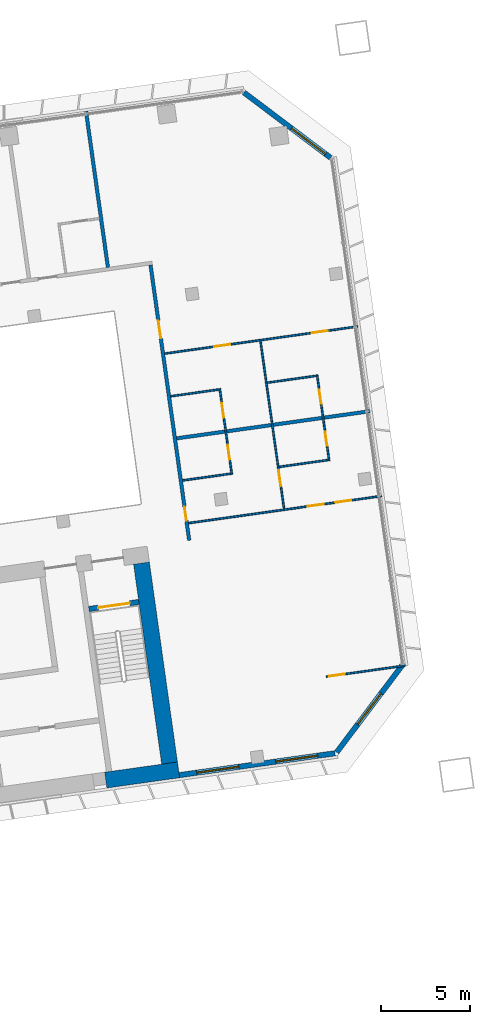
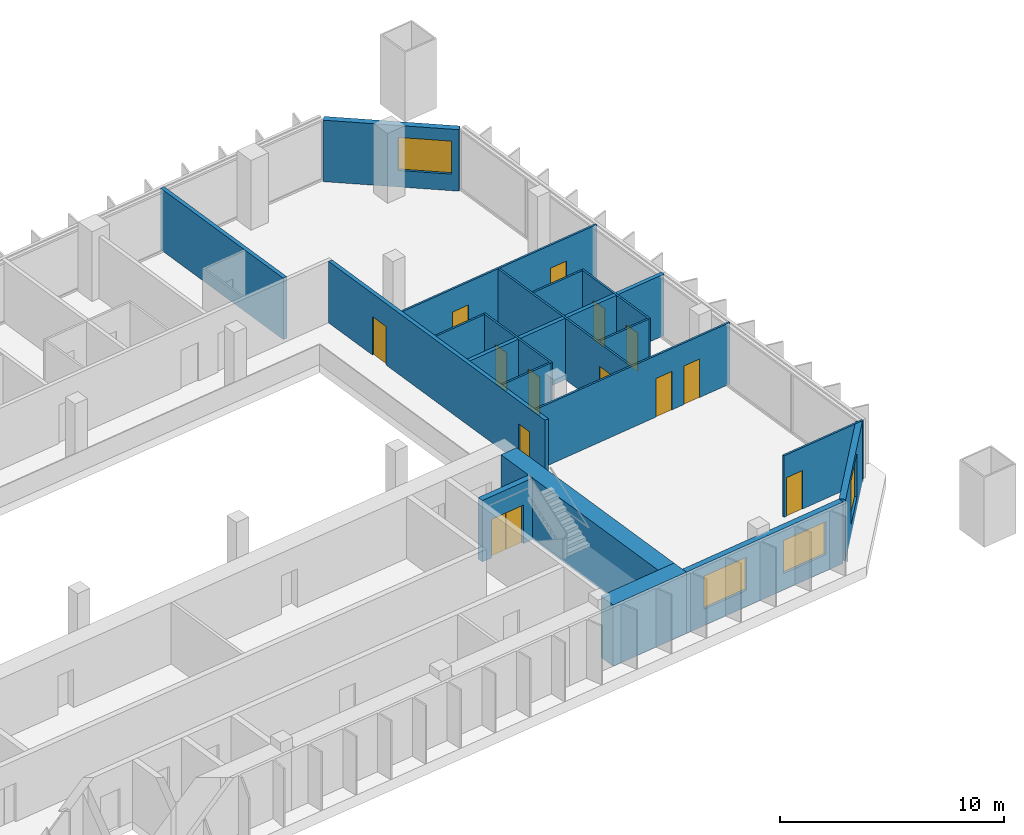
# One storey, part 21 of 24: 19 walls, 13 doors, 4 windows, 17 openings.
"""IFC4 building model written with IfcOpenShell, lengths in metres."""

from ifc_helpers import new_model, si_unit, direction, frame, frame_2d, origin, place, context, subcontext, project, spatial, rectangle, extrude, material, layer, layer_set, type_object, element, fill, save


model = new_model("IFC4")

# Units and contexts
model_context = context("Model", 3, precision=1e-05, world=origin(), true_north=direction((0.0, 1.0)))
body_context = subcontext(model_context, "Body", "Model", "MODEL_VIEW")
ifc_project = project(units=[si_unit("LENGTHUNIT", "METRE"), si_unit("AREAUNIT", "SQUARE_METRE"), si_unit("VOLUMEUNIT", "CUBIC_METRE"), si_unit("PLANEANGLEUNIT", "RADIAN"), si_unit("MASSUNIT", "GRAM", prefix="KILO")], contexts=[model_context])

# Site, building, storey
site_placement = place(None, origin())
site = spatial("IfcSite", under=ifc_project, at=site_placement, CompositionType="ELEMENT")
building_placement = place(site_placement, origin())
building = spatial("IfcBuilding", under=site, at=building_placement, Name="Mirante Cascada Hotel Towers", CompositionType="ELEMENT")
storey_placement = place(building_placement, frame((0.0, 0.0, 47.1)))
storey = spatial("IfcBuildingStorey", under=building, at=storey_placement, Name="L08", CompositionType="ELEMENT", Elevation=47.1)

# Walls
ifc_material_1 = material(Name="Fire-rated plasterboard on metal studs")
ifc_layer_1 = layer(ifc_material_1, 0.2)
ifc_layer_set_1 = layer_set([ifc_layer_1], Name="Compartment wall 200 EI 120")
wall_type_1 = type_object("IfcWallType", Name="Compartment wall 200 EI 120", PredefinedType="PARTITIONING", material=ifc_layer_set_1)
wall_1_placement = place(storey_placement, frame((90.4064, 6.4896, 0.0), z_axis=(0.0, 0.0, 1.0), x_axis=(0.990268, 0.1391733, 0.0)))
element("IfcWall", 1, at=wall_1_placement, inside=storey, type_object=wall_type_1, Name="Wall 2-L08-09", PredefinedType="PARTITIONING", context=body_context, shape_type="SweptSolid", body=[
    extrude(rectangle(XDim=11.0, YDim=0.2, at=frame_2d((5.5, 0.0))), origin(), (0.0, 0.0, 1.0), 3.35),
])
wall_2_placement = place(storey_placement, frame((86.525, 16.1433, 0.0), z_axis=(0.0, 0.0, 1.0), x_axis=(-0.1391684, 0.9902687, 0.0)))
element("IfcWall", 2, at=wall_2_placement, inside=storey, type_object=wall_type_1, Name="Wall 2-L08-53", PredefinedType="PARTITIONING", context=body_context, shape_type="SweptSolid", body=[
    extrude(rectangle(XDim=8.9, YDim=0.2, at=frame_2d((4.45, 0.0))), origin(), (0.0, 0.0, 1.0), 3.35),
])

# Wall, openings, doors
wall_3_placement = place(storey_placement, frame((88.9295, 16.2793, 0.0), z_axis=(0.0, 0.0, 1.0), x_axis=(0.1391721, -0.9902682, 0.0)))
wall_3 = element("IfcWall", 3, at=wall_3_placement, inside=storey, type_object=wall_type_1, Name="Wall 2-L08-54", PredefinedType="PARTITIONING", context=body_context, shape_type="SweptSolid", body=[
    extrude(rectangle(XDim=15.7, YDim=0.2, at=frame_2d((7.85, 0.0))), origin(), (0.0, 0.0, 1.0), 3.35),
])
opening_1_placement = place(wall_3_placement, frame((13.7833, 0.0, 0.0)))
opening_1 = element("IfcOpeningElement", 4, at=opening_1_placement, cuts=wall_3, Name="Opening D2-L08-35", PredefinedType="OPENING", context=body_context, shape_type="SweptSolid", body=[
    extrude(rectangle(XDim=0.8, YDim=2.1, at=frame_2d((0.4, 1.05))), frame((0.0, 0.1, 0.0), z_axis=(0.0, -1.0, 0.0), x_axis=(1.0, 0.0, 0.0)), (0.0, 0.0, 1.0), 0.2),
])
opening_2_placement = place(wall_3_placement, frame((3.1834, 0.0, 0.0)))
opening_2 = element("IfcOpeningElement", 5, at=opening_2_placement, cuts=wall_3, Name="Opening D2-L08-36", PredefinedType="OPENING", context=body_context, shape_type="SweptSolid", body=[
    extrude(rectangle(XDim=1.0, YDim=2.1, at=frame_2d((0.5, 1.05))), frame((0.0, 0.1, 0.0), z_axis=(0.0, -1.0, 0.0), x_axis=(1.0, 0.0, 0.0)), (0.0, 0.0, 1.0), 0.2),
])
ifc_material_2 = material(Name="Fire-rated timber door leaf", Category="wood")
door_type_1 = type_object("IfcDoorType", Name="Bathroom door DG4 800x2100 EI 60", OperationType="SINGLE_SWING_LEFT", PredefinedType="DOOR", material=ifc_material_2)
door_1_placement = place(opening_1_placement, frame((0.8, 0.0, 0.0), z_axis=(0.0, 0.0, 1.0), x_axis=(-1.0, 0.0, 0.0)))
door_1 = element("IfcDoor", 6, at=door_1_placement, inside=storey, type_object=door_type_1, Name="Door D2-L08-35", OperationType="SINGLE_SWING_RIGHT", OverallHeight=2.1, OverallWidth=0.8, PredefinedType="DOOR", context=body_context, shape_type="SweptSolid", body=[
    extrude(rectangle(XDim=0.8, YDim=2.1, at=frame_2d((0.4, 1.05))), frame((0.0, 0.025, 0.0), z_axis=(0.0, -1.0, 0.0), x_axis=(1.0, 0.0, 0.0)), (0.0, 0.0, 1.0), 0.05),
])
fill(opening_1, door_1)
ifc_material_3 = material(Name="Fire-rated timber door leaf", Category="wood")
door_type_2 = type_object("IfcDoorType", Name="Entrance door DG1 1000x2100 EI 60", OperationType="SINGLE_SWING_LEFT", PredefinedType="DOOR", material=ifc_material_3)
door_2_placement = place(opening_2_placement, origin())
door_2 = element("IfcDoor", 7, at=door_2_placement, inside=storey, type_object=door_type_2, Name="Door D2-L08-36", OperationType="SINGLE_SWING_LEFT", OverallHeight=2.1, OverallWidth=1.0, PredefinedType="DOOR", context=body_context, shape_type="SweptSolid", body=[
    extrude(rectangle(XDim=1.0, YDim=2.1, at=frame_2d((0.5, 1.05))), frame((0.0, 0.025, 0.0), z_axis=(0.0, -1.0, 0.0), x_axis=(1.0, 0.0, 0.0)), (0.0, 0.0, 1.0), 0.05),
])
fill(opening_2, door_2)

# Wall, opening, door
ifc_material_4 = material(Name="Plasterboard on metal studs")
ifc_layer_2 = layer(ifc_material_4, 0.1)
ifc_layer_set_2 = layer_set([ifc_layer_2], Name="Partition 100")
wall_type_2 = type_object("IfcWallType", Name="Partition 100", PredefinedType="PARTITIONING", material=ifc_layer_set_2)
wall_4_placement = place(storey_placement, frame((98.8611, -6.9647, 0.0), z_axis=(0.0, 0.0, 1.0), x_axis=(0.9902674, 0.1391779, 0.0)))
wall_4 = element("IfcWall", 8, at=wall_4_placement, inside=storey, type_object=wall_type_2, Name="Wall 2-L08-01", PredefinedType="PARTITIONING", context=body_context, shape_type="SweptSolid", body=[
    extrude(rectangle(XDim=4.5, YDim=0.1, at=frame_2d((2.25, 0.0))), origin(), (0.0, 0.0, 1.0), 3.35),
])
opening_3_placement = place(wall_4_placement, frame((0.15, 0.0, 0.0)))
opening_3 = element("IfcOpeningElement", 9, at=opening_3_placement, cuts=wall_4, Name="Opening D2-L08-01", PredefinedType="OPENING", context=body_context, shape_type="SweptSolid", body=[
    extrude(rectangle(XDim=0.9, YDim=2.1, at=frame_2d((0.45, 1.05))), frame((0.0, 0.05, 0.0), z_axis=(0.0, -1.0, 0.0), x_axis=(1.0, 0.0, 0.0)), (0.0, 0.0, 1.0), 0.1),
])
ifc_material_5 = material(Name="Timber door leaf", Category="wood")
door_type_3 = type_object("IfcDoorType", Name="Room door DG3 900x2100", OperationType="SINGLE_SWING_LEFT", PredefinedType="DOOR", material=ifc_material_5)
door_3_placement = place(opening_3_placement, origin())
door_3 = element("IfcDoor", 10, at=door_3_placement, inside=storey, type_object=door_type_3, Name="Door D2-L08-01", OperationType="SINGLE_SWING_LEFT", OverallHeight=2.1, OverallWidth=0.9, PredefinedType="DOOR", context=body_context, shape_type="SweptSolid", body=[
    extrude(rectangle(XDim=0.9, YDim=2.1, at=frame_2d((0.45, 1.05))), frame((0.0, 0.025, 0.0), z_axis=(0.0, -1.0, 0.0), x_axis=(1.0, 0.0, 0.0)), (0.0, 0.0, 1.0), 0.05),
])
fill(opening_3, door_3)

# Wall, openings, doors
wall_5_placement = place(storey_placement, frame((91.079, 1.7033, 0.0), z_axis=(0.0, 0.0, 1.0), x_axis=(0.9902682, 0.1391721, 0.0)))
wall_5 = element("IfcWall", 11, at=wall_5_placement, inside=storey, type_object=wall_type_2, Name="Wall 2-L08-05", PredefinedType="PARTITIONING", context=body_context, shape_type="SweptSolid", body=[
    extrude(rectangle(XDim=11.0001, YDim=0.1, at=frame_2d((5.5, 0.0))), origin(), (0.0, 0.0, 1.0), 3.35),
])
opening_4_placement = place(wall_5_placement, frame((6.8, 0.0, 0.0)))
opening_4 = element("IfcOpeningElement", 12, at=opening_4_placement, cuts=wall_5, Name="Opening D2-L08-03", PredefinedType="OPENING", context=body_context, shape_type="SweptSolid", body=[
    extrude(rectangle(XDim=0.9, YDim=2.1, at=frame_2d((0.45, 1.05))), frame((0.0, 0.05, 0.0), z_axis=(0.0, -1.0, 0.0), x_axis=(1.0, 0.0, 0.0)), (0.0, 0.0, 1.0), 0.1),
])
opening_5_placement = place(wall_5_placement, frame((8.375, 0.0, 0.0)))
opening_5 = element("IfcOpeningElement", 13, at=opening_5_placement, cuts=wall_5, Name="Opening D2-L08-04", PredefinedType="OPENING", context=body_context, shape_type="SweptSolid", body=[
    extrude(rectangle(XDim=0.9, YDim=2.1, at=frame_2d((0.45, 1.05))), frame((0.0, 0.05, 0.0), z_axis=(0.0, -1.0, 0.0), x_axis=(1.0, 0.0, 0.0)), (0.0, 0.0, 1.0), 0.1),
])
door_4_placement = place(opening_4_placement, frame((0.9, 0.0, 0.0), z_axis=(0.0, 0.0, 1.0), x_axis=(-1.0, 0.0, 0.0)))
door_4 = element("IfcDoor", 14, at=door_4_placement, inside=storey, type_object=door_type_3, Name="Door D2-L08-03", OperationType="SINGLE_SWING_RIGHT", OverallHeight=2.1, OverallWidth=0.9, PredefinedType="DOOR", context=body_context, shape_type="SweptSolid", body=[
    extrude(rectangle(XDim=0.9, YDim=2.1, at=frame_2d((0.45, 1.05))), frame((0.0, 0.025, 0.0), z_axis=(0.0, -1.0, 0.0), x_axis=(1.0, 0.0, 0.0)), (0.0, 0.0, 1.0), 0.05),
])
fill(opening_4, door_4)
door_5_placement = place(opening_5_placement, frame((0.9, 0.0, 0.0), z_axis=(0.0, 0.0, 1.0), x_axis=(-1.0, 0.0, 0.0)))
door_5 = element("IfcDoor", 15, at=door_5_placement, inside=storey, type_object=door_type_3, Name="Door D2-L08-04", OperationType="SINGLE_SWING_RIGHT", OverallHeight=2.1, OverallWidth=0.9, PredefinedType="DOOR", context=body_context, shape_type="SweptSolid", body=[
    extrude(rectangle(XDim=0.9, YDim=2.1, at=frame_2d((0.45, 1.05))), frame((0.0, 0.025, 0.0), z_axis=(0.0, -1.0, 0.0), x_axis=(1.0, 0.0, 0.0)), (0.0, 0.0, 1.0), 0.05),
])
fill(opening_5, door_5)

# Walls
wall_6_placement = place(storey_placement, frame((93.4636, 4.4956, 0.0), z_axis=(0.0, 0.0, 1.0), x_axis=(-0.9902691, -0.1391657, 0.0)))
element("IfcWall", 16, at=wall_6_placement, inside=storey, type_object=wall_type_2, Name="Wall 2-L08-06", PredefinedType="PARTITIONING", context=body_context, shape_type="SweptSolid", body=[
    extrude(rectangle(XDim=2.75, YDim=0.1, at=frame_2d((1.375, 0.0))), origin(), (0.0, 0.0, 1.0), 3.35),
])
wall_7_placement = place(storey_placement, frame((96.1868, 4.8784, 0.0), z_axis=(0.0, 0.0, 1.0), x_axis=(0.9902677, 0.139176, 0.0)))
element("IfcWall", 17, at=wall_7_placement, inside=storey, type_object=wall_type_2, Name="Wall 2-L08-07", PredefinedType="PARTITIONING", context=body_context, shape_type="SweptSolid", body=[
    extrude(rectangle(XDim=2.8001, YDim=0.1, at=frame_2d((1.4, 0.0))), origin(), (0.0, 0.0, 1.0), 3.35),
])
wall_8_placement = place(storey_placement, frame((90.0723, 8.8662, 0.0), z_axis=(0.0, 0.0, 1.0), x_axis=(0.9902698, 0.1391607, 0.0)))
element("IfcWall", 18, at=wall_8_placement, inside=storey, type_object=wall_type_2, Name="Wall 2-L08-11", PredefinedType="PARTITIONING", context=body_context, shape_type="SweptSolid", body=[
    extrude(rectangle(XDim=2.7501, YDim=0.1, at=frame_2d((1.3751, 0.0))), origin(), (0.0, 0.0, 1.0), 3.35),
])
wall_9_placement = place(storey_placement, frame((98.2916, 10.0213, 0.0), z_axis=(0.0, 0.0, 1.0), x_axis=(-0.9902726, -0.139141, 0.0)))
element("IfcWall", 19, at=wall_9_placement, inside=storey, type_object=wall_type_2, Name="Wall 2-L08-12", PredefinedType="PARTITIONING", context=body_context, shape_type="SweptSolid", body=[
    extrude(rectangle(XDim=2.8, YDim=0.1, at=frame_2d((1.4, 0.0))), origin(), (0.0, 0.0, 1.0), 3.35),
])

# Wall, openings, doors
wall_10_placement = place(storey_placement, frame((100.6266, 12.8067, 0.0), z_axis=(0.0, 0.0, 1.0), x_axis=(-0.990268, -0.1391733, 0.0)))
wall_10 = element("IfcWall", 20, at=wall_10_placement, inside=storey, type_object=wall_type_2, Name="Wall 2-L08-14", PredefinedType="PARTITIONING", context=body_context, shape_type="SweptSolid", body=[
    extrude(rectangle(XDim=11.0, YDim=0.1, at=frame_2d((5.5, 0.0))), origin(), (0.0, 0.0, 1.0), 3.35),
])
opening_6_placement = place(wall_10_placement, frame((7.275, 0.0, 0.0)))
opening_6 = element("IfcOpeningElement", 21, at=opening_6_placement, cuts=wall_10, Name="Opening D2-L08-05", PredefinedType="OPENING", context=body_context, shape_type="SweptSolid", body=[
    extrude(rectangle(XDim=0.9, YDim=2.1, at=frame_2d((0.45, 1.05))), frame((0.0, 0.05, 0.0), z_axis=(0.0, -1.0, 0.0), x_axis=(1.0, 0.0, 0.0)), (0.0, 0.0, 1.0), 0.1),
])
opening_7_placement = place(wall_10_placement, frame((1.725, 0.0, 0.0)))
opening_7 = element("IfcOpeningElement", 22, at=opening_7_placement, cuts=wall_10, Name="Opening D2-L08-06", PredefinedType="OPENING", context=body_context, shape_type="SweptSolid", body=[
    extrude(rectangle(XDim=0.9, YDim=2.1, at=frame_2d((0.45, 1.05))), frame((0.0, 0.05, 0.0), z_axis=(0.0, -1.0, 0.0), x_axis=(1.0, 0.0, 0.0)), (0.0, 0.0, 1.0), 0.1),
])
door_6_placement = place(opening_6_placement, frame((0.9, 0.0, 0.0), z_axis=(0.0, 0.0, 1.0), x_axis=(-1.0, 0.0, 0.0)))
door_6 = element("IfcDoor", 23, at=door_6_placement, inside=storey, type_object=door_type_3, Name="Door D2-L08-05", OperationType="SINGLE_SWING_RIGHT", OverallHeight=2.1, OverallWidth=0.9, PredefinedType="DOOR", context=body_context, shape_type="SweptSolid", body=[
    extrude(rectangle(XDim=0.9, YDim=2.1, at=frame_2d((0.45, 1.05))), frame((0.0, 0.025, 0.0), z_axis=(0.0, -1.0, 0.0), x_axis=(1.0, 0.0, 0.0)), (0.0, 0.0, 1.0), 0.05),
])
fill(opening_6, door_6)
door_7_placement = place(opening_7_placement, frame((0.9, 0.0, 0.0), z_axis=(0.0, 0.0, 1.0), x_axis=(-1.0, 0.0, 0.0)))
door_7 = element("IfcDoor", 24, at=door_7_placement, inside=storey, type_object=door_type_3, Name="Door D2-L08-06", OperationType="SINGLE_SWING_RIGHT", OverallHeight=2.1, OverallWidth=0.9, PredefinedType="DOOR", context=body_context, shape_type="SweptSolid", body=[
    extrude(rectangle(XDim=0.9, YDim=2.1, at=frame_2d((0.45, 1.05))), frame((0.0, 0.025, 0.0), z_axis=(0.0, -1.0, 0.0), x_axis=(1.0, 0.0, 0.0)), (0.0, 0.0, 1.0), 0.05),
])
fill(opening_7, door_7)

wall_11_placement = place(storey_placement, frame((93.5201, 4.4531, 0.0), z_axis=(0.0, 0.0, 1.0), x_axis=(-0.1391838, 0.9902666, 0.0)))
wall_11 = element("IfcWall", 25, at=wall_11_placement, inside=storey, type_object=wall_type_2, Name="Wall 2-L08-55", PredefinedType="PARTITIONING", context=body_context, shape_type="SweptSolid", body=[
    extrude(rectangle(XDim=4.9, YDim=0.1, at=frame_2d((2.45, 0.0))), origin(), (0.0, 0.0, 1.0), 3.35),
])
opening_8_placement = place(wall_11_placement, frame((0.85, 0.0, 0.0)))
opening_8 = element("IfcOpeningElement", 26, at=opening_8_placement, cuts=wall_11, Name="Opening D2-L08-37", PredefinedType="OPENING", context=body_context, shape_type="SweptSolid", body=[
    extrude(rectangle(XDim=0.8, YDim=2.1, at=frame_2d((0.4, 1.05))), frame((0.0, 0.05, 0.0), z_axis=(0.0, -1.0, 0.0), x_axis=(1.0, 0.0, 0.0)), (0.0, 0.0, 1.0), 0.1),
])
opening_9_placement = place(wall_11_placement, frame((3.25, 0.0, 0.0)))
opening_9 = element("IfcOpeningElement", 27, at=opening_9_placement, cuts=wall_11, Name="Opening D2-L08-38", PredefinedType="OPENING", context=body_context, shape_type="SweptSolid", body=[
    extrude(rectangle(XDim=0.8, YDim=2.1, at=frame_2d((0.4, 1.05))), frame((0.0, 0.05, 0.0), z_axis=(0.0, -1.0, 0.0), x_axis=(1.0, 0.0, 0.0)), (0.0, 0.0, 1.0), 0.1),
])
ifc_material_6 = material(Name="Timber door leaf", Category="wood")
door_type_4 = type_object("IfcDoorType", Name="Bathroom door DG4 800x2100", OperationType="SINGLE_SWING_LEFT", PredefinedType="DOOR", material=ifc_material_6)
door_8_placement = place(opening_8_placement, origin())
door_8 = element("IfcDoor", 28, at=door_8_placement, inside=storey, type_object=door_type_4, Name="Door D2-L08-37", OperationType="SINGLE_SWING_LEFT", OverallHeight=2.1, OverallWidth=0.8, PredefinedType="DOOR", context=body_context, shape_type="SweptSolid", body=[
    extrude(rectangle(XDim=0.8, YDim=2.1, at=frame_2d((0.4, 1.05))), frame((0.0, 0.025, 0.0), z_axis=(0.0, -1.0, 0.0), x_axis=(1.0, 0.0, 0.0)), (0.0, 0.0, 1.0), 0.05),
])
fill(opening_8, door_8)
door_9_placement = place(opening_9_placement, origin())
door_9 = element("IfcDoor", 29, at=door_9_placement, inside=storey, type_object=door_type_4, Name="Door D2-L08-38", OperationType="SINGLE_SWING_LEFT", OverallHeight=2.1, OverallWidth=0.8, PredefinedType="DOOR", context=body_context, shape_type="SweptSolid", body=[
    extrude(rectangle(XDim=0.8, YDim=2.1, at=frame_2d((0.4, 1.05))), frame((0.0, 0.025, 0.0), z_axis=(0.0, -1.0, 0.0), x_axis=(1.0, 0.0, 0.0)), (0.0, 0.0, 1.0), 0.05),
])
fill(opening_9, door_9)

# Wall, opening, door
wall_12_placement = place(storey_placement, frame((95.1376, 11.9848, 0.0), z_axis=(0.0, 0.0, 1.0), x_axis=(0.1391717, -0.9902683, 0.0)))
wall_12 = element("IfcWall", 30, at=wall_12_placement, inside=storey, type_object=wall_type_2, Name="Wall 2-L08-56", PredefinedType="PARTITIONING", context=body_context, shape_type="SweptSolid", body=[
    extrude(rectangle(XDim=9.5666, YDim=0.1, at=frame_2d((4.7833, 0.0))), origin(), (0.0, 0.0, 1.0), 3.35),
])
opening_10_placement = place(wall_12_placement, frame((7.3666, 0.0, 0.0)))
opening_10 = element("IfcOpeningElement", 31, at=opening_10_placement, cuts=wall_12, Name="Opening D2-L08-39", PredefinedType="OPENING", context=body_context, shape_type="SweptSolid", body=[
    extrude(rectangle(XDim=0.9, YDim=2.1, at=frame_2d((0.45, 1.05))), frame((0.0, 0.05, 0.0), z_axis=(0.0, -1.0, 0.0), x_axis=(1.0, 0.0, 0.0)), (0.0, 0.0, 1.0), 0.1),
])
door_10_placement = place(opening_10_placement, frame((0.9, 0.0, 0.0), z_axis=(0.0, 0.0, 1.0), x_axis=(-1.0, 0.0, 0.0)))
door_10 = element("IfcDoor", 32, at=door_10_placement, inside=storey, type_object=door_type_3, Name="Door D2-L08-39", OperationType="SINGLE_SWING_RIGHT", OverallHeight=2.1, OverallWidth=0.9, PredefinedType="DOOR", context=body_context, shape_type="SweptSolid", body=[
    extrude(rectangle(XDim=0.9, YDim=2.1, at=frame_2d((0.45, 1.05))), frame((0.0, 0.025, 0.0), z_axis=(0.0, -1.0, 0.0), x_axis=(1.0, 0.0, 0.0)), (0.0, 0.0, 1.0), 0.05),
])
fill(opening_10, door_10)

# Wall, openings, doors
wall_13_placement = place(storey_placement, frame((99.0161, 5.2255, 0.0), z_axis=(0.0, 0.0, 1.0), x_axis=(-0.1391838, 0.9902666, 0.0)))
wall_13 = element("IfcWall", 33, at=wall_13_placement, inside=storey, type_object=wall_type_2, Name="Wall 2-L08-57", PredefinedType="PARTITIONING", context=body_context, shape_type="SweptSolid", body=[
    extrude(rectangle(XDim=4.9, YDim=0.1, at=frame_2d((2.45, 0.0))), origin(), (0.0, 0.0, 1.0), 3.35),
])
opening_11_placement = place(wall_13_placement, frame((0.85, 0.0, 0.0)))
opening_11 = element("IfcOpeningElement", 34, at=opening_11_placement, cuts=wall_13, Name="Opening D2-L08-40", PredefinedType="OPENING", context=body_context, shape_type="SweptSolid", body=[
    extrude(rectangle(XDim=0.8, YDim=2.1, at=frame_2d((0.4, 1.05))), frame((0.0, 0.05, 0.0), z_axis=(0.0, -1.0, 0.0), x_axis=(1.0, 0.0, 0.0)), (0.0, 0.0, 1.0), 0.1),
])
opening_12_placement = place(wall_13_placement, frame((3.25, 0.0, 0.0)))
opening_12 = element("IfcOpeningElement", 35, at=opening_12_placement, cuts=wall_13, Name="Opening D2-L08-41", PredefinedType="OPENING", context=body_context, shape_type="SweptSolid", body=[
    extrude(rectangle(XDim=0.8, YDim=2.1, at=frame_2d((0.4, 1.05))), frame((0.0, 0.05, 0.0), z_axis=(0.0, -1.0, 0.0), x_axis=(1.0, 0.0, 0.0)), (0.0, 0.0, 1.0), 0.1),
])
door_11_placement = place(opening_11_placement, origin())
door_11 = element("IfcDoor", 36, at=door_11_placement, inside=storey, type_object=door_type_4, Name="Door D2-L08-40", OperationType="SINGLE_SWING_LEFT", OverallHeight=2.1, OverallWidth=0.8, PredefinedType="DOOR", context=body_context, shape_type="SweptSolid", body=[
    extrude(rectangle(XDim=0.8, YDim=2.1, at=frame_2d((0.4, 1.05))), frame((0.0, 0.025, 0.0), z_axis=(0.0, -1.0, 0.0), x_axis=(1.0, 0.0, 0.0)), (0.0, 0.0, 1.0), 0.05),
])
fill(opening_11, door_11)
door_12_placement = place(opening_12_placement, origin())
door_12 = element("IfcDoor", 37, at=door_12_placement, inside=storey, type_object=door_type_4, Name="Door D2-L08-41", OperationType="SINGLE_SWING_LEFT", OverallHeight=2.1, OverallWidth=0.8, PredefinedType="DOOR", context=body_context, shape_type="SweptSolid", body=[
    extrude(rectangle(XDim=0.8, YDim=2.1, at=frame_2d((0.4, 1.05))), frame((0.0, 0.025, 0.0), z_axis=(0.0, -1.0, 0.0), x_axis=(1.0, 0.0, 0.0)), (0.0, 0.0, 1.0), 0.05),
])
fill(opening_12, door_12)

# Wall, openings, windows
ifc_material_7 = material(Name="Precast concrete C40/50", Category="concrete")
ifc_layer_3 = layer(ifc_material_7, 0.3)
ifc_layer_set_3 = layer_set([ifc_layer_3], Name="Precast concrete C40/50 cladding wall 300")
wall_type_3 = type_object("IfcWallType", Name="Precast concrete C40/50 cladding wall 300", PredefinedType="STANDARD", material=ifc_layer_set_3)
wall_14_placement = place(storey_placement, frame((90.5541, -12.5249, 0.0), z_axis=(0.0, 0.0, 1.0), x_axis=(0.9902678, 0.1391749, 0.0)))
wall_14 = element("IfcWall", 38, at=wall_14_placement, inside=storey, type_object=wall_type_3, Name="Rear cladding wall T2 L08 1", PredefinedType="STANDARD", context=body_context, shape_type="SweptSolid", body=[
    extrude(rectangle(XDim=8.8759, YDim=0.3, at=frame_2d((4.438, 0.0))), origin(), (0.0, 0.0, 1.0), 3.35),
])
opening_13_placement = place(wall_14_placement, frame((1.0012, 0.0, 0.9)))
opening_13 = element("IfcOpeningElement", 39, at=opening_13_placement, cuts=wall_14, Name="Opening W2-08-01", PredefinedType="OPENING", context=body_context, shape_type="SweptSolid", body=[
    extrude(rectangle(XDim=2.4, YDim=1.8, at=frame_2d((1.2, 0.9))), frame((0.0, 0.15, 0.0), z_axis=(0.0, -1.0, 0.0), x_axis=(1.0, 0.0, 0.0)), (0.0, 0.0, 1.0), 0.3),
])
opening_14_placement = place(wall_14_placement, frame((5.4923, 0.0, 0.9)))
opening_14 = element("IfcOpeningElement", 40, at=opening_14_placement, cuts=wall_14, Name="Opening W2-08-02", PredefinedType="OPENING", context=body_context, shape_type="SweptSolid", body=[
    extrude(rectangle(XDim=2.4, YDim=1.8, at=frame_2d((1.2, 0.9))), frame((0.0, 0.15, 0.0), z_axis=(0.0, -1.0, 0.0), x_axis=(1.0, 0.0, 0.0)), (0.0, 0.0, 1.0), 0.3),
])
ifc_material_8 = material(Name="Aluminium frame with clear double glazing", Category="aluminium")
window_type_1 = type_object("IfcWindowType", Name="Punched window 2400x1800", PartitioningType="DOUBLE_PANEL_VERTICAL", PredefinedType="WINDOW", material=ifc_material_8)
window_1_placement = place(opening_13_placement, origin())
window_1 = element("IfcWindow", 41, at=window_1_placement, inside=storey, type_object=window_type_1, Name="Window W2-08-01", OverallHeight=1.8, OverallWidth=2.4, PartitioningType="SINGLE_PANEL", PredefinedType="WINDOW", context=body_context, shape_type="SweptSolid", body=[
    extrude(rectangle(XDim=2.4, YDim=1.8, at=frame_2d((1.2, 0.9))), frame((0.0, 0.03, 0.0), z_axis=(0.0, -1.0, 0.0), x_axis=(1.0, 0.0, 0.0)), (0.0, 0.0, 1.0), 0.06),
])
fill(opening_13, window_1)
window_2_placement = place(opening_14_placement, origin())
window_2 = element("IfcWindow", 42, at=window_2_placement, inside=storey, type_object=window_type_1, Name="Window W2-08-02", OverallHeight=1.8, OverallWidth=2.4, PartitioningType="SINGLE_PANEL", PredefinedType="WINDOW", context=body_context, shape_type="SweptSolid", body=[
    extrude(rectangle(XDim=2.4, YDim=1.8, at=frame_2d((1.2, 0.9))), frame((0.0, 0.03, 0.0), z_axis=(0.0, -1.0, 0.0), x_axis=(1.0, 0.0, 0.0)), (0.0, 0.0, 1.0), 0.06),
])
fill(opening_14, window_2)

# Wall, opening, window
wall_15_placement = place(storey_placement, frame((99.4423, -11.2315, 0.0), z_axis=(0.0, 0.0, 1.0), x_axis=(0.6018141, 0.7986362, 0.0)))
wall_15 = element("IfcWall", 43, at=wall_15_placement, inside=storey, type_object=wall_type_3, Name="Corner cladding wall T2 L08 rear outer", PredefinedType="STANDARD", context=body_context, shape_type="SweptSolid", body=[
    extrude(rectangle(XDim=6.1157, YDim=0.3, at=frame_2d((3.0578, 0.0))), origin(), (0.0, 0.0, 1.0), 3.35),
])
opening_15_placement = place(wall_15_placement, frame((1.9578, 0.0, 0.6)))
opening_15 = element("IfcOpeningElement", 44, at=opening_15_placement, cuts=wall_15, Name="Opening W2-08-03", PredefinedType="OPENING", context=body_context, shape_type="SweptSolid", body=[
    extrude(rectangle(XDim=2.2, YDim=2.4, at=frame_2d((1.1, 1.2))), frame((0.0, 0.15, 0.0), z_axis=(0.0, -1.0, 0.0), x_axis=(1.0, 0.0, 0.0)), (0.0, 0.0, 1.0), 0.3),
])
ifc_material_9 = material(Name="Aluminium frame with clear double glazing", Category="aluminium")
window_type_2 = type_object("IfcWindowType", Name="Corner suite window 2200x2400", PartitioningType="DOUBLE_PANEL_VERTICAL", PredefinedType="WINDOW", material=ifc_material_9)
window_3_placement = place(opening_15_placement, origin())
window_3 = element("IfcWindow", 45, at=window_3_placement, inside=storey, type_object=window_type_2, Name="Window W2-08-03", OverallHeight=2.4, OverallWidth=2.2, PartitioningType="SINGLE_PANEL", PredefinedType="WINDOW", context=body_context, shape_type="SweptSolid", body=[
    extrude(rectangle(XDim=2.2, YDim=2.4, at=frame_2d((1.1, 1.2))), frame((0.0, 0.03, 0.0), z_axis=(0.0, -1.0, 0.0), x_axis=(1.0, 0.0, 0.0)), (0.0, 0.0, 1.0), 0.06),
])
fill(opening_15, window_3)

wall_16_placement = place(storey_placement, frame((99.0919, 22.3343, 0.0), z_axis=(0.0, 0.0, 1.0), x_axis=(-0.7986362, 0.6018141, 0.0)))
wall_16 = element("IfcWall", 46, at=wall_16_placement, inside=storey, type_object=wall_type_3, Name="Corner cladding wall T2 L08 outer front", PredefinedType="STANDARD", context=body_context, shape_type="SweptSolid", body=[
    extrude(rectangle(XDim=6.1157, YDim=0.3, at=frame_2d((3.0578, 0.0))), origin(), (0.0, 0.0, 1.0), 3.35),
])
opening_16_placement = place(wall_16_placement, frame((0.35, 0.0, 0.9)))
opening_16 = element("IfcOpeningElement", 47, at=opening_16_placement, cuts=wall_16, Name="Opening W2-08-06", PredefinedType="OPENING", context=body_context, shape_type="SweptSolid", body=[
    extrude(rectangle(XDim=2.4, YDim=1.8, at=frame_2d((1.2, 0.9))), frame((0.0, 0.15, 0.0), z_axis=(0.0, -1.0, 0.0), x_axis=(1.0, 0.0, 0.0)), (0.0, 0.0, 1.0), 0.3),
])
window_4_placement = place(opening_16_placement, origin())
window_4 = element("IfcWindow", 48, at=window_4_placement, inside=storey, type_object=window_type_1, Name="Window W2-08-06", OverallHeight=1.8, OverallWidth=2.4, PartitioningType="SINGLE_PANEL", PredefinedType="WINDOW", context=body_context, shape_type="SweptSolid", body=[
    extrude(rectangle(XDim=2.4, YDim=1.8, at=frame_2d((1.2, 0.9))), frame((0.0, 0.03, 0.0), z_axis=(0.0, -1.0, 0.0), x_axis=(1.0, 0.0, 0.0)), (0.0, 0.0, 1.0), 0.06),
])
fill(opening_16, window_4)

# Wall, opening, door
ifc_material_10 = material(Name="Concrete C50/60", Category="concrete")
ifc_layer_4 = layer(ifc_material_10, 0.3)
ifc_layer_set_4 = layer_set([ifc_layer_4], Name="RC core wall 300 C50/60")
wall_type_4 = type_object("IfcWallType", Name="RC core wall 300 C50/60", PredefinedType="SHEAR", material=ifc_layer_set_4)
wall_17_placement = place(storey_placement, frame((85.4489, -3.1441, 0.0), z_axis=(0.0, 0.0, 1.0), x_axis=(0.9902697, 0.1391613, 0.0)))
wall_17 = element("IfcWall", 49, at=wall_17_placement, inside=storey, type_object=wall_type_4, Name="Core wall T2:L08:11", PredefinedType="SHEAR", context=body_context, shape_type="SweptSolid", body=[
    extrude(rectangle(XDim=2.8499, YDim=0.3, at=frame_2d((1.425, 0.0))), origin(), (0.0, 0.0, 1.0), 3.35),
])
opening_17_placement = place(wall_17_placement, frame((0.525, 0.0, 0.0)))
opening_17 = element("IfcOpeningElement", 50, at=opening_17_placement, cuts=wall_17, Name="Opening D2-08-C17", PredefinedType="OPENING", context=body_context, shape_type="SweptSolid", body=[
    extrude(rectangle(XDim=1.8, YDim=2.1, at=frame_2d((0.9, 1.05))), frame((0.0, 0.15, 0.0), z_axis=(0.0, -1.0, 0.0), x_axis=(1.0, 0.0, 0.0)), (0.0, 0.0, 1.0), 0.3),
])
ifc_material_11 = material(Name="Hollow metal fire door leaf")
door_type_5 = type_object("IfcDoorType", Name="Double fire door 1800x2100 FD60", OperationType="DOUBLE_DOOR_SINGLE_SWING", PredefinedType="DOOR", material=ifc_material_11)
door_13_placement = place(opening_17_placement, frame((1.8, 0.0, 0.0), z_axis=(0.0, 0.0, 1.0), x_axis=(-1.0, 0.0, 0.0)))
door_13 = element("IfcDoor", 51, at=door_13_placement, inside=storey, type_object=door_type_5, Name="Stair door T2 L08 17", OperationType="DOUBLE_DOOR_SINGLE_SWING", OverallHeight=2.1, OverallWidth=1.8, PredefinedType="DOOR", context=body_context, shape_type="SweptSolid", body=[
    extrude(rectangle(XDim=0.895, YDim=2.1, at=frame_2d((0.4475, 1.05))), frame((0.0, 0.025, 0.0), z_axis=(0.0, -1.0, 0.0), x_axis=(1.0, 0.0, 0.0)), (0.0, 0.0, 1.0), 0.05),
    extrude(rectangle(XDim=0.895, YDim=2.1, at=frame_2d((1.3525, 1.05))), frame((0.0, 0.025, 0.0), z_axis=(0.0, -1.0, 0.0), x_axis=(1.0, 0.0, 0.0)), (0.0, 0.0, 1.0), 0.05),
])
fill(opening_17, door_13)

# Walls
ifc_material_12 = material(Name="Concrete C50/60", Category="concrete")
ifc_layer_5 = layer(ifc_material_12, 0.9)
ifc_layer_set_5 = layer_set([ifc_layer_5], Name="RC core wall 900 C50/60")
wall_type_5 = type_object("IfcWallType", Name="RC core wall 900 C50/60", PredefinedType="SHEAR", material=ifc_layer_set_5)
wall_18_placement = place(storey_placement, frame((86.4027, -12.8054, 0.0), z_axis=(0.0, 0.0, 1.0), x_axis=(0.990267, 0.139181, 0.0)))
element("IfcWall", 52, at=wall_18_placement, inside=storey, type_object=wall_type_5, Name="Core wall T2:L08:1.7", PredefinedType="SHEAR", context=body_context, shape_type="SweptSolid", body=[
    extrude(rectangle(XDim=4.15, YDim=0.9, at=frame_2d((2.075, 0.0))), origin(), (0.0, 0.0, 1.0), 3.35),
])
wall_19_placement = place(storey_placement, frame((90.0041, -11.8449, 0.0), z_axis=(0.0, 0.0, 1.0), x_axis=(-0.1391749, 0.9902678, 0.0)))
element("IfcWall", 53, at=wall_19_placement, inside=storey, type_object=wall_type_5, Name="Core wall T2:L08:4", PredefinedType="SHEAR", context=body_context, shape_type="SweptSolid", body=[
    extrude(rectangle(XDim=11.4, YDim=0.9, at=frame_2d((5.7, 0.0))), origin(), (0.0, 0.0, 1.0), 3.35),
])

save(model, "model.ifc")
